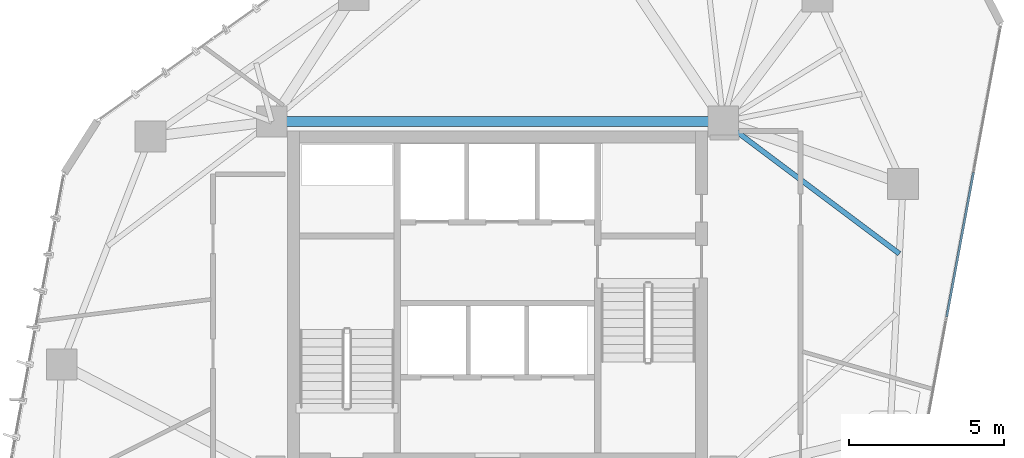
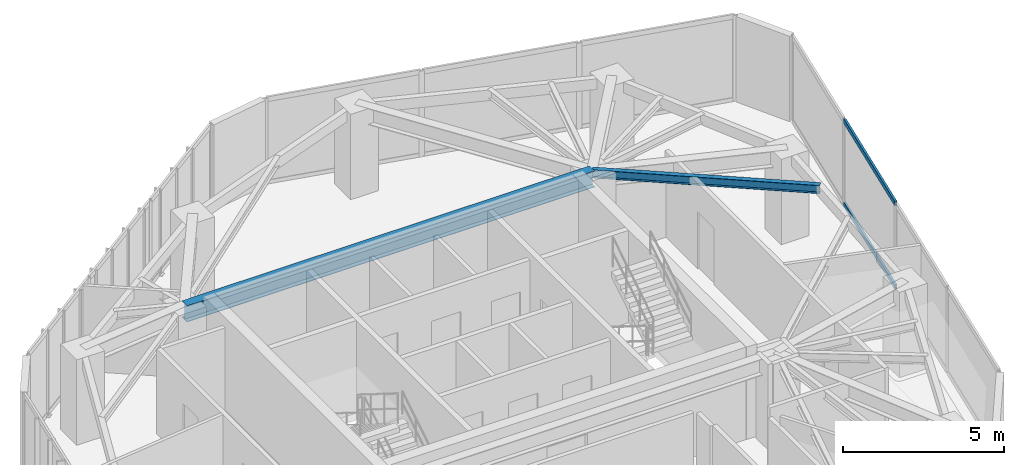
# One storey, part 10 of 19: 2 beams, 2 members, 1 element without a shape of its own.
"""IFC4 building model written with IfcOpenShell, lengths in metres."""

from ifc_helpers import new_model, si_unit, direction, frame, origin, origin_2d, place, context, subcontext, project, spatial, hollow_rectangle, i_section, extrude, source, transform, mapped, material, layer, layer_set, material_profile, profile_set, type_object, type_shapes, element, aggregate, save


model = new_model("IFC4")

# Units and contexts
model_context = context("Model", 3, precision=1e-05, world=origin(), true_north=direction((0.0, 1.0)))
body_context = subcontext(model_context, "Body", "Model", "MODEL_VIEW")
ifc_project = project(units=[si_unit("LENGTHUNIT", "METRE"), si_unit("AREAUNIT", "SQUARE_METRE"), si_unit("VOLUMEUNIT", "CUBIC_METRE"), si_unit("PLANEANGLEUNIT", "RADIAN"), si_unit("MASSUNIT", "GRAM", prefix="KILO")], contexts=[model_context])

# Site, building, storey
site_placement = place(None, origin())
site = spatial("IfcSite", under=ifc_project, at=site_placement, CompositionType="ELEMENT")
building_placement = place(site_placement, origin())
building = spatial("IfcBuilding", under=site, at=building_placement, Name="Talar Marvaseh", CompositionType="ELEMENT")
storey_placement = place(building_placement, frame((0.0, 0.0, 195.0)))
storey = spatial("IfcBuildingStorey", under=building, at=storey_placement, Name="L51", CompositionType="ELEMENT", Elevation=195.0)

# Beams
ifc_material_1 = material(Name="Steel S355", Category="steel")
ifc_material_profile_1 = material_profile(ifc_material_1, i_section(OverallWidth=0.324951171875, OverallDepth=0.615966796875, WebThickness=0.013916015625, FlangeThickness=0.021484375, at=origin_2d()), Name="W610x174")
ifc_profile_set_1 = profile_set([ifc_material_profile_1], Name="Steel S355")
beam_type_1 = type_object("IfcBeamType", Name="Zone 3 Radial Floor Girder W610x174", PredefinedType="BEAM", material=ifc_profile_set_1)
beam_1_placement = place(storey_placement, frame((18.699951171875, 36.89990234375, 2.922119140625), z_axis=(1.0, 0.0, 0.0), x_axis=(0.0, 1.0, 0.0)))
element("IfcBeam", 1, at=beam_1_placement, inside=storey, type_object=beam_type_1, Name="L51 Zone 3 Radial Floor Girder W610x174", PredefinedType="BEAM", context=body_context, shape_type="SweptSolid", body=[
    extrude(i_section(OverallWidth=0.324951171875, OverallDepth=0.615966796875, WebThickness=0.013916015625, FlangeThickness=0.021484375, at=origin_2d()), origin(), (0.0, 0.0, 1.0), 14.60009765625),
])
ifc_material_profile_2 = material_profile(ifc_material_1, i_section(OverallWidth=0.166015625, OverallDepth=0.31298828125, WebThickness=0.006591796875, FlangeThickness=0.01123046875, at=origin_2d()), Name="W310x45")
ifc_profile_set_2 = profile_set([ifc_material_profile_2], Name="Steel S355")
beam_type_2 = type_object("IfcBeamType", Name="Zone 3 Secondary Floor Joist W310x45", PredefinedType="JOIST", material=ifc_profile_set_2)
beam_2_placement = place(storey_placement, frame((38.994384765625, 32.627197265625, 3.073486328125), z_axis=(-0.799868292589, 0.600175569739, 0.0), x_axis=(-0.600175569739, -0.799868292589, 0.0)))
element("IfcBeam", 2, at=beam_2_placement, inside=storey, type_object=beam_type_2, Name="L51 Zone 3 Secondary Floor Joist W310x45", PredefinedType="JOIST", context=body_context, shape_type="SweptSolid", body=[
    extrude(i_section(OverallWidth=0.166015625, OverallDepth=0.31298828125, WebThickness=0.006591796875, FlangeThickness=0.01123046875, at=origin_2d()), origin(), (0.0, 0.0, 1.0), 7.119140625),
])

# Curtain wall, members
ifc_material_2 = material(Name="Architectural Aluminium", Category="aluminium")
ifc_layer = layer(ifc_material_2, 0.18994140625)
ifc_layer_set = layer_set([ifc_layer], Name="Architectural Aluminium")
curtain_wall_type = type_object("IfcCurtainWallType", Name="Unitised Solar Atelier Curtain Wall Z3", PredefinedType="NOTDEFINED", material=ifc_layer_set)
curtain_wall_placement = place(storey_placement, origin())
curtain_wall = element("IfcCurtainWall", 3, at=curtain_wall_placement, inside=storey, type_object=curtain_wall_type, Name="L51 Unitised Solar Atelier Curtain Wall Z3", PredefinedType="NOTDEFINED")
ifc_material_profile_3 = material_profile(ifc_material_2, hollow_rectangle(XDim=0.074951171875, YDim=0.179931640625, WallThickness=0.0048828125, at=origin_2d()), Name="RHS180x75x5")
ifc_profile_set_3 = profile_set([ifc_material_profile_3], Name="Architectural Aluminium")
member_type = type_object("IfcMemberType", Name="Unitised Curtain Wall Transom RHS180x75x5", PredefinedType="USERDEFINED", material=ifc_profile_set_3)
shared_shape = source(origin(), body_context, "Body", "SweptSolid", [
    extrude(hollow_rectangle(XDim=0.074951171875, YDim=0.179931640625, WallThickness=0.0048828125, at=origin_2d()), origin(), (0.0, 0.0, 1.0), 4.746826171875),
])
type_shapes(member_type, [shared_shape])
member_1_placement = place(storey_placement, frame((41.3896484375, 35.25439453125, 0.03759765625), z_axis=(-0.182378404676, -0.983228415734, 0.0), x_axis=(0.983228415734, -0.182378404676, 0.0)))
member_1 = element("IfcMember", 4, at=member_1_placement, type_object=member_type, Name="CW-Z3 transom 2.1", ObjectType="TRANSOM", PredefinedType="USERDEFINED", context=body_context, shape_type="MappedRepresentation", body=[
    mapped(shared_shape, transform((0.0, 0.0, 0.0), x_axis=(1.0, 0.0, 0.0), y_axis=(0.0, 1.0, 0.0), z_axis=(0.0, 0.0, 1.0), scale=1.0)),
])
member_2_placement = place(storey_placement, frame((41.3896484375, 35.25439453125, 3.1923828125), z_axis=(-0.182378404676, -0.983228415734, 0.0), x_axis=(0.983228415734, -0.182378404676, 0.0)))
member_2 = element("IfcMember", 5, at=member_2_placement, type_object=member_type, Name="CW-Z3 transom 2.2", ObjectType="TRANSOM", PredefinedType="USERDEFINED", context=body_context, shape_type="MappedRepresentation", body=[
    mapped(shared_shape, transform((0.0, 0.0, 0.0), x_axis=(1.0, 0.0, 0.0), y_axis=(0.0, 1.0, 0.0), z_axis=(0.0, 0.0, 1.0), scale=1.0)),
])
aggregate(curtain_wall, [member_1, member_2])

save(model, "model.ifc")
